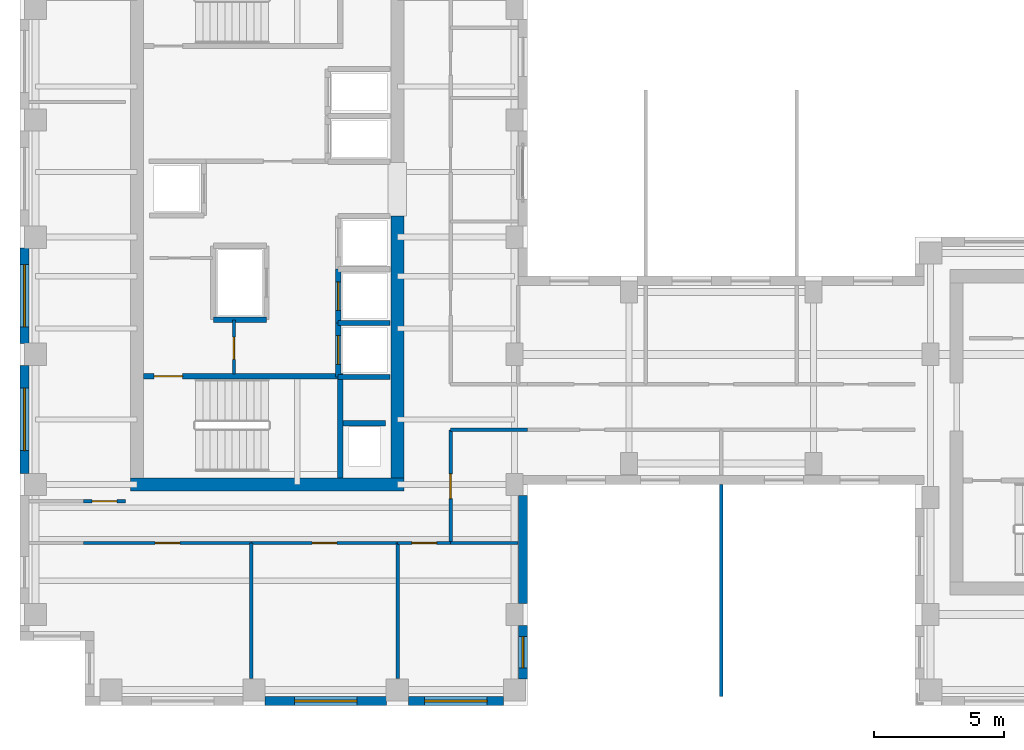
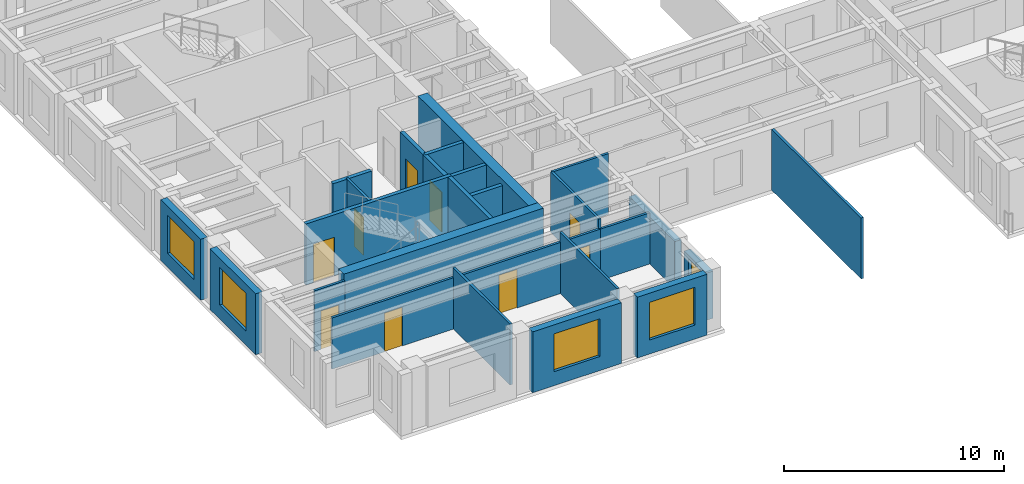
# One storey, part 4 of 11: 27 walls, 9 doors, 5 windows, 14 openings.
"""IFC4 building model written with IfcOpenShell, lengths in metres."""

from ifc_helpers import new_model, si_unit, direction, frame, frame_2d, origin, place, context, subcontext, project, spatial, rectangle, extrude, source, transform, mapped, material, layer, layer_set, type_object, element, fill, save


model = new_model("IFC4")

# Units and contexts
model_context = context("Model", 3, precision=1e-05, world=origin(), true_north=direction((0.0, 1.0)))
body_context = subcontext(model_context, "Body", "Model", "MODEL_VIEW")
ifc_project = project(units=[si_unit("LENGTHUNIT", "METRE"), si_unit("AREAUNIT", "SQUARE_METRE"), si_unit("VOLUMEUNIT", "CUBIC_METRE"), si_unit("PLANEANGLEUNIT", "RADIAN"), si_unit("MASSUNIT", "GRAM", prefix="KILO")], contexts=[model_context])

# Site, building, storey
site_placement = place(None, origin())
site = spatial("IfcSite", under=ifc_project, at=site_placement, CompositionType="ELEMENT")
building_placement = place(site_placement, origin())
building = spatial("IfcBuilding", under=site, at=building_placement, Name="Kharzan Plaza Tower", CompositionType="ELEMENT")
storey_placement = place(building_placement, frame((0.0, 0.0, 226.800048828125)))
storey = spatial("IfcBuildingStorey", under=building, at=storey_placement, Name="L61", CompositionType="ELEMENT", Elevation=226.800048828125)

# Wall, opening, window
ifc_material_1 = material(Name="Concrete C40/50", Category="concrete")
ifc_layer_1 = layer(ifc_material_1, 0.35009765625)
ifc_layer_set_1 = layer_set([ifc_layer_1], Name="Concrete C40/50")
wall_type_1 = type_object("IfcWallType", Name="WL-EXT-MAS-Z4", PredefinedType="SOLIDWALL", material=ifc_layer_set_1)
wall_1_placement = place(storey_placement, frame((0.175048828125, 17.576904296875, 0.0), z_axis=(0.0, 0.0, 1.0), x_axis=(0.0, -1.0, 0.0)))
wall_1 = element("IfcWall", 1, at=wall_1_placement, inside=storey, type_object=wall_type_1, Name="L61 Masonry-Frame Exterior Wall 21", PredefinedType="SOLIDWALL", context=body_context, shape_type="SweptSolid", body=[
    extrude(rectangle(XDim=3.65380859375, YDim=0.35009765625, at=frame_2d((1.826904296875, 0.0))), origin(), (0.0, 0.0, 1.0), 3.385009765625),
])
opening_1_placement = place(wall_1_placement, frame((0.626953125, 0.0, 0.780029296875)))
opening_1 = element("IfcOpeningElement", 2, at=opening_1_placement, cuts=wall_1, Name="Opening W2", PredefinedType="OPENING", context=body_context, shape_type="SweptSolid", body=[
    extrude(rectangle(XDim=2.39990234375, YDim=2.10009765625, at=frame_2d((1.199951171875, 1.050048828125))), frame((0.0, 0.18505859375, 0.0), z_axis=(0.0, -1.0, 0.0), x_axis=(1.0, 0.0, 0.0)), (0.0, 0.0, 1.0), 0.3701171875),
])
ifc_material_2 = material(Name="Low-E Double Glazing", Category="glass")
window_type_1 = type_object("IfcWindowType", Name="WN-REC-2400x2100", PartitioningType="SINGLE_PANEL", PredefinedType="WINDOW", material=ifc_material_2)
shared_shape_1 = source(origin(), body_context, "Body", "SweptSolid", [
    extrude(rectangle(XDim=2.39990234375, YDim=2.10009765625, at=frame_2d((1.199951171875, 1.050048828125))), frame((0.0, 0.030029296875, 0.0), z_axis=(0.0, -1.0, 0.0), x_axis=(1.0, 0.0, 0.0)), (0.0, 0.0, 1.0), 0.06005859375),
])
window_1_placement = place(opening_1_placement, origin())
window_1 = element("IfcWindow", 3, at=window_1_placement, inside=storey, type_object=window_type_1, Name="L61 Wide Recessed Solar-Control Window 21-1", OverallHeight=2.10009765625, OverallWidth=2.39990234375, PartitioningType="SINGLE_PANEL", PredefinedType="WINDOW", context=body_context, shape_type="MappedRepresentation", body=[
    mapped(shared_shape_1, transform((0.0, 0.0, 0.0), x_axis=(1.0, 0.0, 0.0), y_axis=(0.0, 1.0, 0.0), z_axis=(0.0, 0.0, 1.0))),
])
fill(opening_1, window_1)

wall_2_placement = place(storey_placement, frame((0.175048828125, 13.076904296875, 0.0), z_axis=(0.0, 0.0, 1.0), x_axis=(0.0, -1.0, 0.0)))
wall_2 = element("IfcWall", 4, at=wall_2_placement, inside=storey, type_object=wall_type_1, Name="L61 Masonry-Frame Exterior Wall 22", PredefinedType="SOLIDWALL", context=body_context, shape_type="SweptSolid", body=[
    extrude(rectangle(XDim=4.15380859375, YDim=0.35009765625, at=frame_2d((2.076904296875, 0.0))), origin(), (0.0, 0.0, 1.0), 3.385009765625),
])
opening_2_placement = place(wall_2_placement, frame((0.876953125, 0.0, 0.780029296875)))
opening_2 = element("IfcOpeningElement", 5, at=opening_2_placement, cuts=wall_2, Name="Opening W2", PredefinedType="OPENING", context=body_context, shape_type="SweptSolid", body=[
    extrude(rectangle(XDim=2.39990234375, YDim=2.10009765625, at=frame_2d((1.199951171875, 1.050048828125))), frame((0.0, 0.18505859375, 0.0), z_axis=(0.0, -1.0, 0.0), x_axis=(1.0, 0.0, 0.0)), (0.0, 0.0, 1.0), 0.3701171875),
])
window_2_placement = place(opening_2_placement, origin())
window_2 = element("IfcWindow", 6, at=window_2_placement, inside=storey, type_object=window_type_1, Name="L61 Wide Recessed Solar-Control Window 22-1", OverallHeight=2.10009765625, OverallWidth=2.39990234375, PartitioningType="SINGLE_PANEL", PredefinedType="WINDOW", context=body_context, shape_type="MappedRepresentation", body=[
    mapped(shared_shape_1, transform((0.0, 0.0, 0.0), x_axis=(1.0, 0.0, 0.0), y_axis=(0.0, 1.0, 0.0), z_axis=(0.0, 0.0, 1.0))),
])
fill(opening_2, window_2)

wall_3_placement = place(storey_placement, frame((9.423095703125, 0.175048828125, 0.0), z_axis=(0.0, 0.0, 1.0), x_axis=(1.0, 0.0, 0.0)))
wall_3 = element("IfcWall", 7, at=wall_3_placement, inside=storey, type_object=wall_type_1, Name="L61 Masonry-Frame Exterior Wall 29", PredefinedType="SOLIDWALL", context=body_context, shape_type="SweptSolid", body=[
    extrude(rectangle(XDim=4.65380859375, YDim=0.35009765625, at=frame_2d((2.326904296875, 0.0))), origin(), (0.0, 0.0, 1.0), 3.385009765625),
])
opening_3_placement = place(wall_3_placement, frame((1.126953125, 0.0, 0.780029296875)))
opening_3 = element("IfcOpeningElement", 8, at=opening_3_placement, cuts=wall_3, Name="Opening W2", PredefinedType="OPENING", context=body_context, shape_type="SweptSolid", body=[
    extrude(rectangle(XDim=2.39990234375, YDim=2.10009765625, at=frame_2d((1.199951171875, 1.050048828125))), frame((0.0, 0.18505859375, 0.0), z_axis=(0.0, -1.0, 0.0), x_axis=(1.0, 0.0, 0.0)), (0.0, 0.0, 1.0), 0.3701171875),
])
window_3_placement = place(opening_3_placement, origin())
window_3 = element("IfcWindow", 9, at=window_3_placement, inside=storey, type_object=window_type_1, Name="L61 Wide Recessed Solar-Control Window 29-1", OverallHeight=2.10009765625, OverallWidth=2.39990234375, PartitioningType="SINGLE_PANEL", PredefinedType="WINDOW", context=body_context, shape_type="MappedRepresentation", body=[
    mapped(shared_shape_1, transform((0.0, 0.0, 0.0), x_axis=(1.0, 0.0, 0.0), y_axis=(0.0, 1.0, 0.0), z_axis=(0.0, 0.0, 1.0))),
])
fill(opening_3, window_3)

wall_4_placement = place(storey_placement, frame((14.923095703125, 0.175048828125, 0.0), z_axis=(0.0, 0.0, 1.0), x_axis=(1.0, 0.0, 0.0)))
wall_4 = element("IfcWall", 10, at=wall_4_placement, inside=storey, type_object=wall_type_1, Name="L61 Masonry-Frame Exterior Wall 30", PredefinedType="SOLIDWALL", context=body_context, shape_type="SweptSolid", body=[
    extrude(rectangle(XDim=3.65380859375, YDim=0.35009765625, at=frame_2d((1.826904296875, 0.0))), origin(), (0.0, 0.0, 1.0), 3.385009765625),
])
opening_4_placement = place(wall_4_placement, frame((0.626953125, 0.0, 0.780029296875)))
opening_4 = element("IfcOpeningElement", 11, at=opening_4_placement, cuts=wall_4, Name="Opening W2", PredefinedType="OPENING", context=body_context, shape_type="SweptSolid", body=[
    extrude(rectangle(XDim=2.39990234375, YDim=2.10009765625, at=frame_2d((1.199951171875, 1.050048828125))), frame((0.0, 0.18505859375, 0.0), z_axis=(0.0, -1.0, 0.0), x_axis=(1.0, 0.0, 0.0)), (0.0, 0.0, 1.0), 0.3701171875),
])
window_4_placement = place(opening_4_placement, origin())
window_4 = element("IfcWindow", 12, at=window_4_placement, inside=storey, type_object=window_type_1, Name="L61 Wide Recessed Solar-Control Window 30-1", OverallHeight=2.10009765625, OverallWidth=2.39990234375, PartitioningType="SINGLE_PANEL", PredefinedType="WINDOW", context=body_context, shape_type="MappedRepresentation", body=[
    mapped(shared_shape_1, transform((0.0, 0.0, 0.0), x_axis=(1.0, 0.0, 0.0), y_axis=(0.0, 1.0, 0.0), z_axis=(0.0, 0.0, 1.0))),
])
fill(opening_4, window_4)

wall_5_placement = place(storey_placement, frame((19.324951171875, 1.02294921875, 0.0), z_axis=(0.0, 0.0, 1.0), x_axis=(0.0, 1.0, 0.0)))
wall_5 = element("IfcWall", 13, at=wall_5_placement, inside=storey, type_object=wall_type_1, Name="L61 Masonry-Frame Exterior Wall 31", PredefinedType="SOLIDWALL", context=body_context, shape_type="SweptSolid", body=[
    extrude(rectangle(XDim=2.053955078125, YDim=0.35009765625, at=frame_2d((1.02685546875, 0.0))), origin(), (0.0, 0.0, 1.0), 2.618896484375),
])
opening_5_placement = place(wall_5_placement, frame((0.427001953125, 0.0, 0.780029296875)))
opening_5 = element("IfcOpeningElement", 14, at=opening_5_placement, cuts=wall_5, Name="Opening W3", PredefinedType="OPENING", context=body_context, shape_type="SweptSolid", body=[
    extrude(rectangle(XDim=1.199951171875, YDim=1.658935546875, at=frame_2d((0.60009765625, 0.82958984375))), frame((0.0, 0.18505859375, 0.0), z_axis=(0.0, -1.0, 0.0), x_axis=(1.0, 0.0, 0.0)), (0.0, 0.0, 1.0), 0.3701171875),
])
window_type_2 = type_object("IfcWindowType", Name="WN-REC-1200x2100", PartitioningType="SINGLE_PANEL", PredefinedType="WINDOW", material=ifc_material_2)
shared_shape_2 = source(origin(), body_context, "Body", "SweptSolid", [
    extrude(rectangle(XDim=1.199951171875, YDim=1.658935546875, at=frame_2d((0.60009765625, 0.82958984375))), frame((0.0, 0.030029296875, 0.0), z_axis=(0.0, -1.0, 0.0), x_axis=(1.0, 0.0, 0.0)), (0.0, 0.0, 1.0), 0.06005859375),
])
window_5_placement = place(opening_5_placement, origin())
window_5 = element("IfcWindow", 15, at=window_5_placement, inside=storey, type_object=window_type_2, Name="L61 Recessed Solar-Control Window 31-1", OverallHeight=1.658935546875, OverallWidth=1.199951171875, PartitioningType="SINGLE_PANEL", PredefinedType="WINDOW", context=body_context, shape_type="MappedRepresentation", body=[
    mapped(shared_shape_2, transform((0.0, 0.0, 0.0), x_axis=(1.0, 0.0, 0.0), y_axis=(0.0, 1.0, 0.0), z_axis=(0.0, 0.0, 1.0))),
])
fill(opening_5, window_5)

# Wall, opening, door
ifc_material_3 = material(Name="Fire-Rated Gypsum Board Partition", Category="gypsum")
ifc_layer_2 = layer(ifc_material_3, 0.125)
ifc_layer_set_2 = layer_set([ifc_layer_2], Name="Fire-Rated Gypsum Board Partition")
wall_type_2 = type_object("IfcWallType", Name="WL-INT-PART-125", PredefinedType="PARTITIONING", material=ifc_layer_set_2)
wall_6_placement = place(storey_placement, frame((8.219970703125, 12.75, 0.0), z_axis=(0.0, 0.0, 1.0), x_axis=(0.0, 1.0, 0.0)))
wall_6 = element("IfcWall", 16, at=wall_6_placement, inside=storey, type_object=wall_type_2, Name="L61 Interior Partition CA-K1E", PredefinedType="PARTITIONING", context=body_context, shape_type="SweptSolid", body=[
    extrude(rectangle(XDim=2.070068359375, YDim=0.125, at=frame_2d((1.03515625, 0.0))), origin(), (0.0, 0.0, 1.0), 3.385009765625),
])
opening_6_placement = place(wall_6_placement, frame((0.56005859375, 0.0, 0.0)))
opening_6 = element("IfcOpeningElement", 17, at=opening_6_placement, cuts=wall_6, Name="Opening RD1", PredefinedType="OPENING", context=body_context, shape_type="SweptSolid", body=[
    extrude(rectangle(XDim=0.85009765625, YDim=2.10009765625, at=frame_2d((0.425048828125, 1.050048828125))), frame((0.0, 0.072509765625, 0.0), z_axis=(0.0, -1.0, 0.0), x_axis=(1.0, 0.0, 0.0)), (0.0, 0.0, 1.0), 0.14501953125),
])
ifc_material_4 = material(Name="Powder-Coated Fire-Rated Steel", Category="steel")
door_type_1 = type_object("IfcDoorType", Name="DR-RISER-900", OperationType="NOTDEFINED", PredefinedType="DOOR", material=ifc_material_4)
shared_shape_3 = source(origin(), body_context, "Body", "SweptSolid", [
    extrude(rectangle(XDim=0.85009765625, YDim=2.10009765625, at=frame_2d((0.425048828125, 1.050048828125))), frame((0.0, 0.02490234375, 0.0), z_axis=(0.0, -1.0, 0.0), x_axis=(1.0, 0.0, 0.0)), (0.0, 0.0, 1.0), 0.050048828125),
])
door_1_placement = place(opening_6_placement, origin())
door_1 = element("IfcDoor", 18, at=door_1_placement, inside=storey, type_object=door_type_1, Name="L61 Core Service Store Door", OperationType="SINGLE_SWING_RIGHT", OverallHeight=2.10009765625, OverallWidth=0.85009765625, PredefinedType="DOOR", context=body_context, shape_type="MappedRepresentation", body=[
    mapped(shared_shape_3, transform((0.0, 0.0, 0.0), x_axis=(1.0, 0.0, 0.0), y_axis=(0.0, 1.0, 0.0), z_axis=(0.0, 0.0, 1.0))),
])
fill(opening_6, door_1)

wall_7_placement = place(storey_placement, frame((16.550048828125, 6.25, 0.0), z_axis=(0.0, 0.0, 1.0), x_axis=(0.0, 1.0, 0.0)))
wall_7 = element("IfcWall", 19, at=wall_7_placement, inside=storey, type_object=wall_type_2, Name="L61 Interior Partition SH-AEWS", PredefinedType="PARTITIONING", context=body_context, shape_type="SweptSolid", body=[
    extrude(rectangle(XDim=4.35009765625, YDim=0.125, at=frame_2d((2.175048828125, 0.0))), origin(), (0.0, 0.0, 1.0), 3.385009765625),
])
opening_7_placement = place(wall_7_placement, frame((1.699951171875, 0.0, 0.0)))
opening_7 = element("IfcOpeningElement", 20, at=opening_7_placement, cuts=wall_7, Name="Opening OD1", PredefinedType="OPENING", context=body_context, shape_type="SweptSolid", body=[
    extrude(rectangle(XDim=0.949951171875, YDim=2.14990234375, at=frame_2d((0.47509765625, 1.074951171875))), frame((0.0, 0.072509765625, 0.0), z_axis=(0.0, -1.0, 0.0), x_axis=(1.0, 0.0, 0.0)), (0.0, 0.0, 1.0), 0.14501953125),
])
ifc_material_5 = material(Name="Acoustic Solid-Core Stained Oak", Category="timber")
door_type_2 = type_object("IfcDoorType", Name="DR-OFF-SINGLE", OperationType="NOTDEFINED", PredefinedType="DOOR", material=ifc_material_5)
shared_shape_4 = source(origin(), body_context, "Body", "SweptSolid", [
    extrude(rectangle(XDim=0.949951171875, YDim=2.14990234375, at=frame_2d((0.47509765625, 1.074951171875))), frame((0.0, 0.02490234375, 0.0), z_axis=(0.0, -1.0, 0.0), x_axis=(1.0, 0.0, 0.0)), (0.0, 0.0, 1.0), 0.050048828125),
])
door_2_placement = place(opening_7_placement, origin())
door_2 = element("IfcDoor", 21, at=door_2_placement, inside=storey, type_object=door_type_2, Name="L61 Slot South Office Door", OperationType="SINGLE_SWING_RIGHT", OverallHeight=2.14990234375, OverallWidth=0.949951171875, PredefinedType="DOOR", context=body_context, shape_type="MappedRepresentation", body=[
    mapped(shared_shape_4, transform((0.0, 0.0, 0.0), x_axis=(1.0, 0.0, 0.0), y_axis=(0.0, 1.0, 0.0), z_axis=(0.0, 0.0, 1.0))),
])
fill(opening_7, door_2)

wall_8_placement = place(storey_placement, frame((2.449951171875, 7.85009765625, 0.0), z_axis=(0.0, 0.0, 1.0), x_axis=(1.0, 0.0, 0.0)))
wall_8 = element("IfcWall", 22, at=wall_8_placement, inside=storey, type_object=wall_type_2, Name="L61 Interior Partition SH-RWSD", PredefinedType="PARTITIONING", context=body_context, shape_type="SweptSolid", body=[
    extrude(rectangle(XDim=1.60009765625, YDim=0.125, at=frame_2d((0.800048828125, 0.0))), origin(), (0.0, 0.0, 1.0), 3.385009765625),
])
opening_8_placement = place(wall_8_placement, frame((0.324951171875, 0.0, 0.0)))
opening_8 = element("IfcOpeningElement", 23, at=opening_8_placement, cuts=wall_8, Name="Opening OD1", PredefinedType="OPENING", context=body_context, shape_type="SweptSolid", body=[
    extrude(rectangle(XDim=0.949951171875, YDim=2.14990234375, at=frame_2d((0.47509765625, 1.074951171875))), frame((0.0, 0.072509765625, 0.0), z_axis=(0.0, -1.0, 0.0), x_axis=(1.0, 0.0, 0.0)), (0.0, 0.0, 1.0), 0.14501953125),
])
door_3_placement = place(opening_8_placement, origin())
door_3 = element("IfcDoor", 24, at=door_3_placement, inside=storey, type_object=door_type_2, Name="L61 West Office 1 Door", OperationType="SINGLE_SWING_RIGHT", OverallHeight=2.14990234375, OverallWidth=0.949951171875, PredefinedType="DOOR", context=body_context, shape_type="MappedRepresentation", body=[
    mapped(shared_shape_4, transform((0.0, 0.0, 0.0), x_axis=(1.0, 0.0, 0.0), y_axis=(0.0, 1.0, 0.0), z_axis=(0.0, 0.0, 1.0))),
])
fill(opening_8, door_3)

wall_9_placement = place(storey_placement, frame((2.449951171875, 6.25, 0.0), z_axis=(0.0, 0.0, 1.0), x_axis=(1.0, 0.0, 0.0)))
wall_9 = element("IfcWall", 25, at=wall_9_placement, inside=storey, type_object=wall_type_2, Name="L61 Interior Partition SH-SS-1", PredefinedType="PARTITIONING", context=body_context, shape_type="SweptSolid", body=[
    extrude(rectangle(XDim=6.43896484375, YDim=0.125, at=frame_2d((3.219482421875, 0.0))), origin(), (0.0, 0.0, 1.0), 2.847900390625),
])
opening_9_placement = place(wall_9_placement, frame((2.744384765625, 0.0, 0.0)))
opening_9 = element("IfcOpeningElement", 26, at=opening_9_placement, cuts=wall_9, Name="Opening OD1", PredefinedType="OPENING", context=body_context, shape_type="SweptSolid", body=[
    extrude(rectangle(XDim=0.949951171875, YDim=2.14990234375, at=frame_2d((0.47509765625, 1.074951171875))), frame((0.0, 0.072509765625, 0.0), z_axis=(0.0, -1.0, 0.0), x_axis=(1.0, 0.0, 0.0)), (0.0, 0.0, 1.0), 0.14501953125),
])
door_4_placement = place(opening_9_placement, origin())
door_4 = element("IfcDoor", 27, at=door_4_placement, inside=storey, type_object=door_type_2, Name="L61 HSE Management Office Door", OperationType="SINGLE_SWING_RIGHT", OverallHeight=2.14990234375, OverallWidth=0.949951171875, PredefinedType="DOOR", context=body_context, shape_type="MappedRepresentation", body=[
    mapped(shared_shape_4, transform((0.0, 0.0, 0.0), x_axis=(1.0, 0.0, 0.0), y_axis=(0.0, 1.0, 0.0), z_axis=(0.0, 0.0, 1.0))),
])
fill(opening_9, door_4)

wall_10_placement = place(storey_placement, frame((8.888916015625, 6.25, 0.0), z_axis=(0.0, 0.0, 1.0), x_axis=(1.0, 0.0, 0.0)))
wall_10 = element("IfcWall", 28, at=wall_10_placement, inside=storey, type_object=wall_type_2, Name="L61 Interior Partition SH-SS-2", PredefinedType="PARTITIONING", context=body_context, shape_type="SweptSolid", body=[
    extrude(rectangle(XDim=5.627197265625, YDim=0.125, at=frame_2d((2.8134765625, 0.0))), origin(), (0.0, 0.0, 1.0), 2.847900390625),
])
opening_10_placement = place(wall_10_placement, frame((2.33837890625, 0.0, 0.0)))
opening_10 = element("IfcOpeningElement", 29, at=opening_10_placement, cuts=wall_10, Name="Opening OD1", PredefinedType="OPENING", context=body_context, shape_type="SweptSolid", body=[
    extrude(rectangle(XDim=0.949951171875, YDim=2.14990234375, at=frame_2d((0.47509765625, 1.074951171875))), frame((0.0, 0.072509765625, 0.0), z_axis=(0.0, -1.0, 0.0), x_axis=(1.0, 0.0, 0.0)), (0.0, 0.0, 1.0), 0.14501953125),
])
door_5_placement = place(opening_10_placement, origin())
door_5 = element("IfcDoor", 30, at=door_5_placement, inside=storey, type_object=door_type_2, Name="L61 Safety Briefing Room Door", OperationType="SINGLE_SWING_LEFT", OverallHeight=2.14990234375, OverallWidth=0.949951171875, PredefinedType="DOOR", context=body_context, shape_type="MappedRepresentation", body=[
    mapped(shared_shape_4, transform((0.0, 0.0, 0.0), x_axis=(1.0, 0.0, 0.0), y_axis=(0.0, 1.0, 0.0), z_axis=(0.0, 0.0, 1.0))),
])
fill(opening_10, door_5)

wall_11_placement = place(storey_placement, frame((14.51611328125, 6.25, 0.0), z_axis=(0.0, 0.0, 1.0), x_axis=(1.0, 0.0, 0.0)))
wall_11 = element("IfcWall", 31, at=wall_11_placement, inside=storey, type_object=wall_type_2, Name="L61 Interior Partition SH-SS-3", PredefinedType="PARTITIONING", context=body_context, shape_type="SweptSolid", body=[
    extrude(rectangle(XDim=2.033935546875, YDim=0.125, at=frame_2d((1.01708984375, 0.0))), origin(), (0.0, 0.0, 1.0), 2.847900390625),
])
opening_11_placement = place(wall_11_placement, frame((0.5419921875, 0.0, 0.0)))
opening_11 = element("IfcOpeningElement", 32, at=opening_11_placement, cuts=wall_11, Name="Opening OD1", PredefinedType="OPENING", context=body_context, shape_type="SweptSolid", body=[
    extrude(rectangle(XDim=0.949951171875, YDim=2.14990234375, at=frame_2d((0.47509765625, 1.074951171875))), frame((0.0, 0.072509765625, 0.0), z_axis=(0.0, -1.0, 0.0), x_axis=(1.0, 0.0, 0.0)), (0.0, 0.0, 1.0), 0.14501953125),
])
door_6_placement = place(opening_11_placement, origin())
door_6 = element("IfcDoor", 33, at=door_6_placement, inside=storey, type_object=door_type_2, Name="L61 Staff Refreshment Pantry Door", OperationType="SINGLE_SWING_RIGHT", OverallHeight=2.14990234375, OverallWidth=0.949951171875, PredefinedType="DOOR", context=body_context, shape_type="MappedRepresentation", body=[
    mapped(shared_shape_4, transform((0.0, 0.0, 0.0), x_axis=(1.0, 0.0, 0.0), y_axis=(0.0, 1.0, 0.0), z_axis=(0.0, 0.0, 1.0))),
])
fill(opening_11, door_6)

ifc_layer_3 = layer(ifc_material_1, 0.199951171875)
ifc_layer_set_3 = layer_set([ifc_layer_3], Name="Concrete C40/50")
wall_type_3 = type_object("IfcWallType", Name="WL-INT-SHAFT-200", PredefinedType="PARTITIONING", material=ifc_layer_set_3)
wall_12_placement = place(storey_placement, frame((12.22998046875, 12.6298828125, 0.0), z_axis=(0.0, 0.0, 1.0), x_axis=(0.0, 1.0, 0.0)))
wall_12 = element("IfcWall", 34, at=wall_12_placement, inside=storey, type_object=wall_type_3, Name="L61 Interior Partition SHF-PL-H1-W", PredefinedType="PARTITIONING", context=body_context, shape_type="SweptSolid", body=[
    extrude(rectangle(XDim=2.070068359375, YDim=0.199951171875, at=frame_2d((1.03515625, 0.0))), origin(), (0.0, 0.0, 1.0), 3.385009765625),
])
opening_12_placement = place(wall_12_placement, frame((0.485107421875, 0.0, 0.0)))
opening_12 = element("IfcOpeningElement", 35, at=opening_12_placement, cuts=wall_12, Name="Opening LD", PredefinedType="OPENING", context=body_context, shape_type="SweptSolid", body=[
    extrude(rectangle(XDim=1.10009765625, YDim=2.199951171875, at=frame_2d((0.550048828125, 1.10009765625))), frame((0.0, 0.10986328125, 0.0), z_axis=(0.0, -1.0, 0.0), x_axis=(1.0, 0.0, 0.0)), (0.0, 0.0, 1.0), 0.219970703125),
])
ifc_material_6 = material(Name="Brushed Stainless Steel", Category="steel")
door_type_3 = type_object("IfcDoorType", Name="DR-LIFT-SLIDE", OperationType="SLIDING_TO_LEFT", PredefinedType="DOOR", material=ifc_material_6)
shared_shape_5 = source(origin(), body_context, "Body", "SweptSolid", [
    extrude(rectangle(XDim=1.10009765625, YDim=2.199951171875, at=frame_2d((0.550048828125, 1.10009765625))), frame((0.0, 0.02490234375, 0.0), z_axis=(0.0, -1.0, 0.0), x_axis=(1.0, 0.0, 0.0)), (0.0, 0.0, 1.0), 0.050048828125),
])
door_7_placement = place(opening_12_placement, origin())
door_7 = element("IfcDoor", 36, at=door_7_placement, inside=storey, type_object=door_type_3, Name="L61 High-Rise Passenger Lift PL-H1 Sliding Landing Door", OperationType="SLIDING_TO_LEFT", OverallHeight=2.199951171875, OverallWidth=1.10009765625, PredefinedType="DOOR", context=body_context, shape_type="MappedRepresentation", body=[
    mapped(shared_shape_5, transform((0.0, 0.0, 0.0), x_axis=(1.0, 0.0, 0.0), y_axis=(0.0, 1.0, 0.0), z_axis=(0.0, 0.0, 1.0))),
])
fill(opening_12, door_7)

wall_13_placement = place(storey_placement, frame((12.22998046875, 14.699951171875, 0.0), z_axis=(0.0, 0.0, 1.0), x_axis=(0.0, 1.0, 0.0)))
wall_13 = element("IfcWall", 37, at=wall_13_placement, inside=storey, type_object=wall_type_3, Name="L61 Interior Partition SHF-PL-H2-W", PredefinedType="PARTITIONING", context=body_context, shape_type="SweptSolid", body=[
    extrude(rectangle(XDim=2.070068359375, YDim=0.199951171875, at=frame_2d((1.03515625, 0.0))), origin(), (0.0, 0.0, 1.0), 3.385009765625),
])
opening_13_placement = place(wall_13_placement, frame((0.485107421875, 0.0, 0.0)))
opening_13 = element("IfcOpeningElement", 38, at=opening_13_placement, cuts=wall_13, Name="Opening LD", PredefinedType="OPENING", context=body_context, shape_type="SweptSolid", body=[
    extrude(rectangle(XDim=1.10009765625, YDim=2.199951171875, at=frame_2d((0.550048828125, 1.10009765625))), frame((0.0, 0.10986328125, 0.0), z_axis=(0.0, -1.0, 0.0), x_axis=(1.0, 0.0, 0.0)), (0.0, 0.0, 1.0), 0.219970703125),
])
door_8_placement = place(opening_13_placement, origin())
door_8 = element("IfcDoor", 39, at=door_8_placement, inside=storey, type_object=door_type_3, Name="L61 High-Rise Passenger Lift PL-H2 Sliding Landing Door", OperationType="SLIDING_TO_LEFT", OverallHeight=2.199951171875, OverallWidth=1.10009765625, PredefinedType="DOOR", context=body_context, shape_type="MappedRepresentation", body=[
    mapped(shared_shape_5, transform((0.0, 0.0, 0.0), x_axis=(1.0, 0.0, 0.0), y_axis=(0.0, 1.0, 0.0), z_axis=(0.0, 0.0, 1.0))),
])
fill(opening_13, door_8)

ifc_material_7 = material(Name="Concrete C50/60", Category="concrete")
ifc_layer_4 = layer(ifc_material_7, 0.199951171875)
ifc_layer_set_4 = layer_set([ifc_layer_4], Name="Concrete C50/60")
wall_type_4 = type_object("IfcWallType", Name="WL-SHAFT-RC200", PredefinedType="SHEAR", material=ifc_layer_set_4)
wall_14_placement = place(storey_placement, frame((4.751953125, 12.655029296875, 0.0), z_axis=(0.0, 0.0, 1.0), x_axis=(1.0, 0.0, 0.0)))
wall_14 = element("IfcWall", 40, at=wall_14_placement, inside=storey, type_object=wall_type_4, Name="L61 Stair ST-1 North RC Shaft Wall", PredefinedType="SHEAR", context=body_context, shape_type="SweptSolid", body=[
    extrude(rectangle(XDim=7.653076171875, YDim=0.199951171875, at=frame_2d((3.82666015625, 0.0))), origin(), (0.0, 0.0, 1.0), 3.39990234375),
])
opening_14_placement = place(wall_14_placement, frame((0.39990234375, 0.0, 0.0)))
opening_14 = element("IfcOpeningElement", 41, at=opening_14_placement, cuts=wall_14, Name="Opening SD1", PredefinedType="OPENING", context=body_context, shape_type="SweptSolid", body=[
    extrude(rectangle(XDim=1.10009765625, YDim=2.14990234375, at=frame_2d((0.550048828125, 1.074951171875))), frame((0.0, 0.10986328125, 0.0), z_axis=(0.0, -1.0, 0.0), x_axis=(1.0, 0.0, 0.0)), (0.0, 0.0, 1.0), 0.219970703125),
])
ifc_material_8 = material(Name="Fire-Rated Hollow Galvanized Steel", Category="steel")
door_type_4 = type_object("IfcDoorType", Name="DR-STAIR-FD120", OperationType="NOTDEFINED", PredefinedType="DOOR", material=ifc_material_8)
shared_shape_6 = source(origin(), body_context, "Body", "SweptSolid", [
    extrude(rectangle(XDim=1.10009765625, YDim=2.14990234375, at=frame_2d((0.550048828125, 1.074951171875))), frame((0.0, 0.02490234375, 0.0), z_axis=(0.0, -1.0, 0.0), x_axis=(1.0, 0.0, 0.0)), (0.0, 0.0, 1.0), 0.050048828125),
])
door_9_placement = place(opening_14_placement, origin())
door_9 = element("IfcDoor", 42, at=door_9_placement, inside=storey, type_object=door_type_4, Name="L61 Stair ST-1 Fire Exit Door", OperationType="SINGLE_SWING_RIGHT", OverallHeight=2.14990234375, OverallWidth=1.10009765625, PredefinedType="DOOR", context=body_context, shape_type="MappedRepresentation", body=[
    mapped(shared_shape_6, transform((0.0, 0.0, 0.0), x_axis=(1.0, 0.0, 0.0), y_axis=(0.0, 1.0, 0.0), z_axis=(0.0, 0.0, 1.0))),
])
fill(opening_14, door_9)

# Walls
shared_shape_7 = source(origin(), body_context, "Body", "SweptSolid", [
    extrude(rectangle(XDim=1.630126953125, YDim=0.199951171875, at=frame_2d((0.81494140625, 0.0))), origin(), (0.0, 0.0, 1.0), 3.385009765625),
])
wall_15_placement = place(storey_placement, frame((12.419921875, 10.85009765625, 0.0), z_axis=(0.0, 0.0, 1.0), x_axis=(1.0, 0.0, 0.0)))
element("IfcWall", 43, at=wall_15_placement, inside=storey, type_object=wall_type_3, Name="L61 Interior Partition CA-RSRA-N", PredefinedType="PARTITIONING", context=body_context, shape_type="MappedRepresentation", body=[
    mapped(shared_shape_7, transform((0.0, 0.0, 0.0), x_axis=(1.0, 0.0, 0.0), y_axis=(0.0, 1.0, 0.0), z_axis=(0.0, 0.0, 1.0))),
])
shared_shape_8 = source(origin(), body_context, "Body", "SweptSolid", [
    extrude(rectangle(XDim=2.0400390625, YDim=0.199951171875, at=frame_2d((1.02001953125, 0.0))), origin(), (0.0, 0.0, 1.0), 3.385009765625),
])
wall_16_placement = place(storey_placement, frame((7.429931640625, 14.830078125, 0.0), z_axis=(0.0, 0.0, 1.0), x_axis=(1.0, 0.0, 0.0)))
element("IfcWall", 44, at=wall_16_placement, inside=storey, type_object=wall_type_3, Name="L61 Interior Partition SHF-SVL-1-S", PredefinedType="PARTITIONING", context=body_context, shape_type="MappedRepresentation", body=[
    mapped(shared_shape_8, transform((0.0, 0.0, 0.0), x_axis=(1.0, 0.0, 0.0), y_axis=(0.0, 1.0, 0.0), z_axis=(0.0, 0.0, 1.0))),
])
shared_shape_9 = source(origin(), body_context, "Body", "SweptSolid", [
    extrude(rectangle(XDim=2.949951171875, YDim=0.125, at=frame_2d((1.47509765625, 0.0))), origin(), (0.0, 0.0, 1.0), 3.385009765625),
])
wall_17_placement = place(storey_placement, frame((16.550048828125, 10.60009765625, 0.0), z_axis=(0.0, 0.0, 1.0), x_axis=(1.0, 0.0, 0.0)))
element("IfcWall", 45, at=wall_17_placement, inside=storey, type_object=wall_type_2, Name="L61 Interior Partition SH-SPS0", PredefinedType="PARTITIONING", context=body_context, shape_type="MappedRepresentation", body=[
    mapped(shared_shape_9, transform((0.0, 0.0, 0.0), x_axis=(1.0, 0.0, 0.0), y_axis=(0.0, 1.0, 0.0), z_axis=(0.0, 0.0, 1.0))),
])
shared_shape_10 = source(origin(), body_context, "Body", "SweptSolid", [
    extrude(rectangle(XDim=8.14794921875, YDim=0.125, at=frame_2d((4.073974609375, 0.0))), origin(), (0.0, 0.0, 1.0), 3.385009765625),
])
wall_18_placement = place(storey_placement, frame((26.949951171875, 0.35009765625, 0.0), z_axis=(0.0, 0.0, 1.0), x_axis=(0.0, 1.0, 0.0)))
element("IfcWall", 46, at=wall_18_placement, inside=storey, type_object=wall_type_2, Name="L61 Interior Partition SH-SPSV1-S1", PredefinedType="PARTITIONING", context=body_context, shape_type="MappedRepresentation", body=[
    mapped(shared_shape_10, transform((0.0, 0.0, 0.0), x_axis=(1.0, 0.0, 0.0), y_axis=(0.0, 1.0, 0.0), z_axis=(0.0, 0.0, 1.0))),
])
shared_shape_11 = source(origin(), body_context, "Body", "SweptSolid", [
    extrude(rectangle(XDim=2.597900390625, YDim=0.125, at=frame_2d((1.298828125, 0.0))), origin(), (0.0, 0.0, 1.0), 2.847900390625),
])
wall_19_placement = place(storey_placement, frame((16.550048828125, 6.25, 0.0), z_axis=(0.0, 0.0, 1.0), x_axis=(1.0, 0.0, 0.0)))
element("IfcWall", 47, at=wall_19_placement, inside=storey, type_object=wall_type_2, Name="L61 Interior Partition SH-SSE-3", PredefinedType="PARTITIONING", context=body_context, shape_type="MappedRepresentation", body=[
    mapped(shared_shape_11, transform((0.0, 0.0, 0.0), x_axis=(1.0, 0.0, 0.0), y_axis=(0.0, 1.0, 0.0), z_axis=(0.0, 0.0, 1.0))),
])
shared_shape_12 = source(origin(), body_context, "Body", "SweptSolid", [
    extrude(rectangle(XDim=1.989990234375, YDim=0.199951171875, at=frame_2d((0.9951171875, 0.0))), origin(), (0.0, 0.0, 1.0), 3.385009765625),
])
for number, where, z_axis, x_axis, name in (
    (48, (12.22998046875, 14.699951171875, 0.0), (0.0, 0.0, 1.0), (1.0, 0.0, 0.0), "L61 Interior Partition SHF-PL-H1-N"),
    (49, (12.22998046875, 12.6298828125, 0.0), (0.0, 0.0, 1.0), (1.0, 0.0, 0.0), "L61 Interior Partition SHF-PL-H1-S"),
):
    element("IfcWall", number, at=place(storey_placement, frame(where, z_axis=z_axis, x_axis=x_axis)), inside=storey, type_object=wall_type_3, Name=name, PredefinedType="PARTITIONING", context=body_context, shape_type="MappedRepresentation", body=[
        mapped(shared_shape_12, transform((0.0, 0.0, 0.0), x_axis=(1.0, 0.0, 0.0), y_axis=(0.0, 1.0, 0.0), z_axis=(0.0, 0.0, 1.0))),
    ])
ifc_layer_5 = layer(ifc_material_7, 0.5)
ifc_layer_set_5 = layer_set([ifc_layer_5], Name="Concrete C50/60")
wall_type_5 = type_object("IfcWallType", Name="WL-CORE-500", PredefinedType="SHEAR", material=ifc_layer_set_5)
shared_shape_13 = source(origin(), body_context, "Body", "SweptSolid", [
    extrude(rectangle(XDim=10.070068359375, YDim=0.5, at=frame_2d((5.03515625, 0.0))), origin(), (0.0, 0.0, 1.0), 3.39990234375),
])
wall_20_placement = place(storey_placement, frame((14.5, 8.75, 0.0), z_axis=(0.0, 0.0, 1.0), x_axis=(0.0, 1.0, 0.0)))
element("IfcWall", 50, at=wall_20_placement, inside=storey, type_object=wall_type_5, Name="L61 CORE-A east shear pier 1", PredefinedType="SHEAR", context=body_context, shape_type="MappedRepresentation", body=[
    mapped(shared_shape_13, transform((0.0, 0.0, 0.0), x_axis=(1.0, 0.0, 0.0), y_axis=(0.0, 1.0, 0.0), z_axis=(0.0, 0.0, 1.0))),
])
shared_shape_14 = source(origin(), body_context, "Body", "SweptSolid", [
    extrude(rectangle(XDim=10.5, YDim=0.5, at=frame_2d((5.25, 0.0))), origin(), (0.0, 0.0, 1.0), 3.39990234375),
])
wall_21_placement = place(storey_placement, frame((4.25, 8.5, 0.0), z_axis=(0.0, 0.0, 1.0), x_axis=(1.0, 0.0, 0.0)))
element("IfcWall", 51, at=wall_21_placement, inside=storey, type_object=wall_type_5, Name="L61 CORE-A south RC shear wall", PredefinedType="SHEAR", context=body_context, shape_type="MappedRepresentation", body=[
    mapped(shared_shape_14, transform((0.0, 0.0, 0.0), x_axis=(1.0, 0.0, 0.0), y_axis=(0.0, 1.0, 0.0), z_axis=(0.0, 0.0, 1.0))),
])
shared_shape_15 = source(origin(), body_context, "Body", "SweptSolid", [
    extrude(rectangle(XDim=3.802978515625, YDim=0.199951171875, at=frame_2d((1.9013671875, 0.0))), origin(), (0.0, 0.0, 1.0), 3.39990234375),
])
wall_22_placement = place(storey_placement, frame((12.304931640625, 8.751953125, 0.0), z_axis=(0.0, 0.0, 1.0), x_axis=(0.0, 1.0, 0.0)))
element("IfcWall", 52, at=wall_22_placement, inside=storey, type_object=wall_type_4, Name="L61 Stair ST-1 East RC Shaft Wall", PredefinedType="SHEAR", context=body_context, shape_type="MappedRepresentation", body=[
    mapped(shared_shape_15, transform((0.0, 0.0, 0.0), x_axis=(1.0, 0.0, 0.0), y_axis=(0.0, 1.0, 0.0), z_axis=(0.0, 0.0, 1.0))),
])
shared_shape_16 = source(origin(), body_context, "Body", "SweptSolid", [
    extrude(rectangle(XDim=4.15380859375, YDim=0.35009765625, at=frame_2d((2.076904296875, 0.0))), origin(), (0.0, 0.0, 1.0), 2.618896484375),
])
wall_23_placement = place(storey_placement, frame((19.324951171875, 3.923095703125, 0.0), z_axis=(0.0, 0.0, 1.0), x_axis=(0.0, 1.0, 0.0)))
element("IfcWall", 53, at=wall_23_placement, inside=storey, type_object=wall_type_1, Name="L61 Masonry-Frame Exterior Wall 32", PredefinedType="SOLIDWALL", context=body_context, shape_type="MappedRepresentation", body=[
    mapped(shared_shape_16, transform((0.0, 0.0, 0.0), x_axis=(1.0, 0.0, 0.0), y_axis=(0.0, 1.0, 0.0), z_axis=(0.0, 0.0, 1.0))),
])
shared_shape_17 = source(origin(), body_context, "Body", "SweptSolid", [
    extrude(rectangle(XDim=5.199951171875, YDim=0.125, at=frame_2d((2.60009765625, 0.0))), origin(), (0.0, 0.0, 1.0), 3.385009765625),
])
for number, where, z_axis, x_axis, name in (
    (54, (8.888916015625, 1.050048828125, 0.0), (0.0, 0.0, 1.0), (0.0, 1.0, 0.0), "L61 Interior Partition SH-SV-1"),
    (55, (14.51611328125, 1.050048828125, 0.0), (0.0, 0.0, 1.0), (0.0, 1.0, 0.0), "L61 Interior Partition SH-SV-2"),
):
    element("IfcWall", number, at=place(storey_placement, frame(where, z_axis=z_axis, x_axis=x_axis)), inside=storey, type_object=wall_type_2, Name=name, PredefinedType="PARTITIONING", context=body_context, shape_type="MappedRepresentation", body=[
        mapped(shared_shape_17, transform((0.0, 0.0, 0.0), x_axis=(1.0, 0.0, 0.0), y_axis=(0.0, 1.0, 0.0), z_axis=(0.0, 0.0, 1.0))),
    ])

save(model, "model.ifc")
